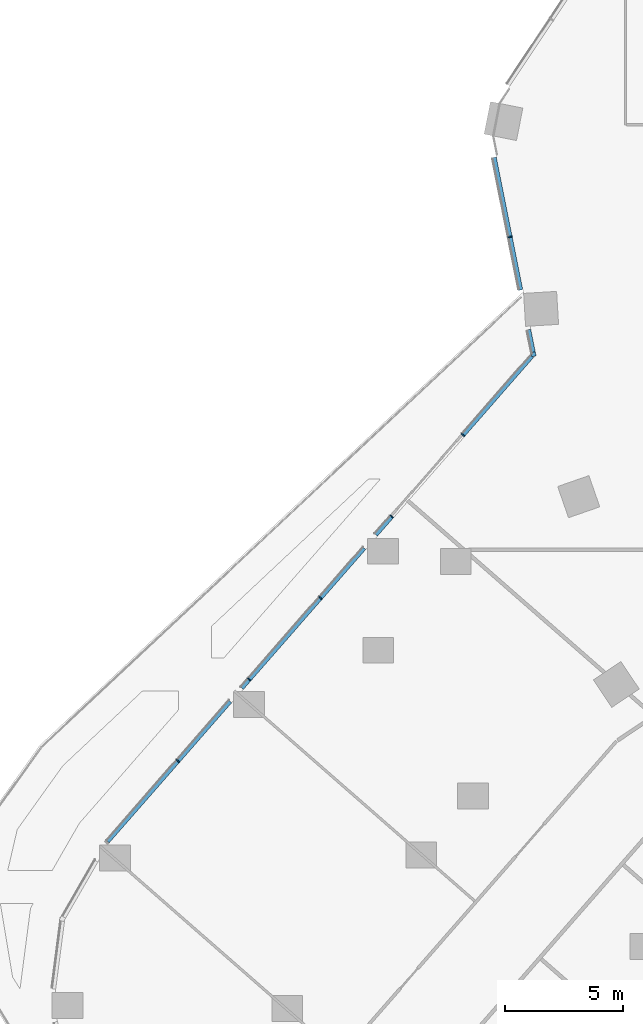
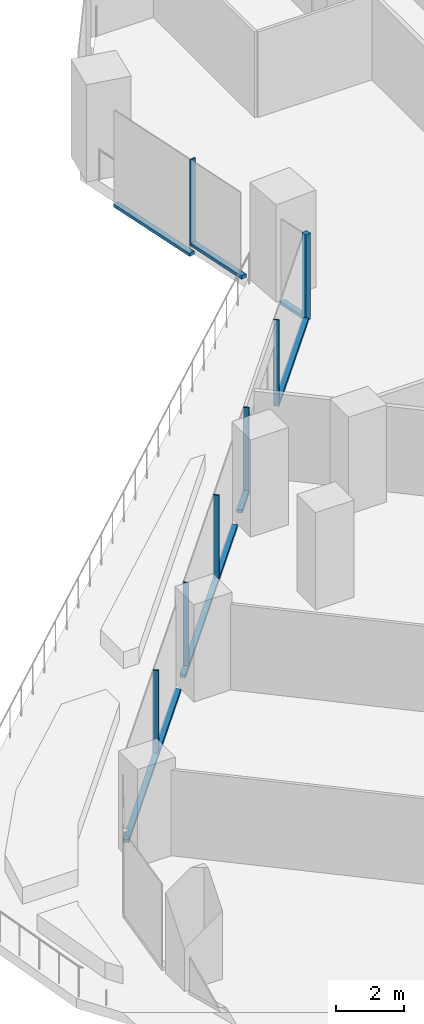
# One storey, part 6 of 32: 14 members, 2 elements without a shape of their own.
"""IFC4 building model written with IfcOpenShell, lengths in metres."""

from ifc_helpers import new_model, si_unit, direction, frame, origin, origin_2d, place, context, subcontext, project, spatial, rectangle, extrude, material, material_profile, profile_set, type_object, element, aggregate, save


model = new_model("IFC4")

# Units and contexts
model_context = context("Model", 3, precision=1e-05, world=origin(), true_north=direction((0.0, 1.0)))
body_context = subcontext(model_context, "Body", "Model", "MODEL_VIEW")
ifc_project = project(units=[si_unit("LENGTHUNIT", "METRE"), si_unit("AREAUNIT", "SQUARE_METRE"), si_unit("VOLUMEUNIT", "CUBIC_METRE"), si_unit("PLANEANGLEUNIT", "RADIAN"), si_unit("MASSUNIT", "GRAM", prefix="KILO")], contexts=[model_context])

# Site, building, storey
site_placement = place(None, origin())
site = spatial("IfcSite", under=ifc_project, at=site_placement, CompositionType="ELEMENT")
building_placement = place(site_placement, origin())
building = spatial("IfcBuilding", under=site, at=building_placement, Name="Orlundy Tower", CompositionType="ELEMENT")
storey_placement = place(building_placement, frame((0.0, 0.0, 58.800048828125)))
storey = spatial("IfcBuildingStorey", under=building, at=storey_placement, Name="L13", CompositionType="ELEMENT", Elevation=58.800048828125)

# Curtain wall, member
ifc_material_1 = material(Name="Aluminium bronze anodised", Category="aluminium")
curtain_wall_type = type_object("IfcCurtainWallType", Name="CW1 wall", PredefinedType="NOTDEFINED", material=ifc_material_1)
curtain_wall_1_placement = place(storey_placement, origin())
curtain_wall_1 = element("IfcCurtainWall", 1, at=curtain_wall_1_placement, inside=storey, type_object=curtain_wall_type, Name="CW1 run 013", PredefinedType="NOTDEFINED")
ifc_material_2 = material(Name="Aluminium bronze anodised", Category="aluminium")
ifc_material_profile_1 = material_profile(ifc_material_2, rectangle(XDim=0.179931640625, YDim=0.179931640625, at=origin_2d()), Name="CW1 corner post 180x180")
ifc_profile_set_1 = profile_set([ifc_material_profile_1], Name="Aluminium bronze anodised")
member_type_1 = type_object("IfcMemberType", Name="CW1 corner post 180x180", PredefinedType="MULLION", material=ifc_profile_set_1)
member_1_placement = place(storey_placement, frame((-29.94189453125, -3.72314453125, 0.0), z_axis=(0.0, 0.0, 1.0), x_axis=(-0.980497937474, -0.196529373401, 0.0)))
member_1 = element("IfcMember", 2, at=member_1_placement, type_object=member_type_1, Name="CW1 mullion 32", PredefinedType="MULLION", context=body_context, shape_type="SweptSolid", body=[
    extrude(rectangle(XDim=0.179931640625, YDim=0.179931640625, at=origin_2d()), origin(), (0.0, 0.0, 1.0), 3.099853515625),
])

# Curtain wall, members
curtain_wall_2_placement = place(storey_placement, origin())
curtain_wall_2 = element("IfcCurtainWall", 3, at=curtain_wall_2_placement, inside=storey, type_object=curtain_wall_type, Name="CW1 run 012", PredefinedType="NOTDEFINED")
ifc_material_3 = material(Name="Aluminium bronze anodised", Category="aluminium")
ifc_material_profile_2 = material_profile(ifc_material_3, rectangle(XDim=0.179931640625, YDim=0.050048828125, at=origin_2d()), Name="CW1 mullion 50x180")
ifc_profile_set_2 = profile_set([ifc_material_profile_2], Name="Aluminium bronze anodised")
member_type_2 = type_object("IfcMemberType", Name="CW1 mullion 50x180", PredefinedType="MULLION", material=ifc_profile_set_2)
member_2_placement = place(storey_placement, frame((-45.01611328125, -20.96142578125, 0.0), z_axis=(0.0, 0.0, 1.0), x_axis=(-0.752779154075, 0.658273153933, 0.0)))
member_2 = element("IfcMember", 4, at=member_2_placement, type_object=member_type_2, Name="CW1 mullion 27", PredefinedType="MULLION", context=body_context, shape_type="SweptSolid", body=[
    extrude(rectangle(XDim=0.179931640625, YDim=0.050048828125, at=origin_2d()), origin(), (0.0, 0.0, 1.0), 3.099853515625),
])
member_3_placement = place(storey_placement, frame((-41.995361328125, -17.507080078125, 0.0), z_axis=(0.0, 0.0, 1.0), x_axis=(-0.752779154075, 0.658273153933, 0.0)))
member_3 = element("IfcMember", 5, at=member_3_placement, type_object=member_type_2, Name="CW1 mullion 28", PredefinedType="MULLION", context=body_context, shape_type="SweptSolid", body=[
    extrude(rectangle(XDim=0.179931640625, YDim=0.050048828125, at=origin_2d()), origin(), (0.0, 0.0, 1.0), 3.099853515625),
])
member_4_placement = place(storey_placement, frame((-38.974853515625, -14.052734375, 0.0), z_axis=(0.0, 0.0, 1.0), x_axis=(-0.752779154075, 0.658273153933, 0.0)))
member_4 = element("IfcMember", 6, at=member_4_placement, type_object=member_type_2, Name="CW1 mullion 29", PredefinedType="MULLION", context=body_context, shape_type="SweptSolid", body=[
    extrude(rectangle(XDim=0.179931640625, YDim=0.050048828125, at=origin_2d()), origin(), (0.0, 0.0, 1.0), 3.099853515625),
])
member_5_placement = place(storey_placement, frame((-35.9541015625, -10.598388671875, 0.0), z_axis=(0.0, 0.0, 1.0), x_axis=(-0.752779154075, 0.658273153933, 0.0)))
member_5 = element("IfcMember", 7, at=member_5_placement, type_object=member_type_2, Name="CW1 mullion 30", PredefinedType="MULLION", context=body_context, shape_type="SweptSolid", body=[
    extrude(rectangle(XDim=0.179931640625, YDim=0.050048828125, at=origin_2d()), origin(), (0.0, 0.0, 1.0), 3.099853515625),
])
member_6_placement = place(storey_placement, frame((-32.933349609375, -7.14404296875, 0.0), z_axis=(0.0, 0.0, 1.0), x_axis=(-0.752779154075, 0.658273153933, 0.0)))
member_6 = element("IfcMember", 8, at=member_6_placement, type_object=member_type_2, Name="CW1 mullion 31", PredefinedType="MULLION", context=body_context, shape_type="SweptSolid", body=[
    extrude(rectangle(XDim=0.179931640625, YDim=0.050048828125, at=origin_2d()), origin(), (0.0, 0.0, 1.0), 3.099853515625),
])

# Member
member_7_placement = place(storey_placement, frame((-30.939208984375, 1.252197265625, 0.0), z_axis=(0.0, 0.0, 1.0), x_axis=(-0.980497937474, -0.196529373401, 0.0)))
member_7 = element("IfcMember", 9, at=member_7_placement, type_object=member_type_2, Name="CW1 mullion 33", PredefinedType="MULLION", context=body_context, shape_type="SweptSolid", body=[
    extrude(rectangle(XDim=0.179931640625, YDim=0.050048828125, at=origin_2d()), origin(), (0.0, 0.0, 1.0), 3.099853515625),
])

ifc_material_4 = material(Name="Aluminium bronze anodised", Category="aluminium")
ifc_material_profile_3 = material_profile(ifc_material_4, rectangle(XDim=0.179931640625, YDim=0.1201171875, at=origin_2d()), Name="CW1 transom 180x120")
ifc_profile_set_3 = profile_set([ifc_material_profile_3], Name="Aluminium bronze anodised")
member_type_3 = type_object("IfcMemberType", Name="CW1 transom 180x120", PredefinedType="USERDEFINED", material=ifc_profile_set_3)
member_8_placement = place(storey_placement, frame((-47.999267578125, -24.373046875, 0.06005859375), z_axis=(0.658259054691, 0.752791483026, 0.0), x_axis=(-0.752791483026, 0.658259054691, 0.0)))
member_8 = element("IfcMember", 10, at=member_8_placement, type_object=member_type_3, Name="CW1 transom", ObjectType="TRANSOM", PredefinedType="USERDEFINED", context=body_context, shape_type="SweptSolid", body=[
    extrude(rectangle(XDim=0.179931640625, YDim=0.1201171875, at=origin_2d()), origin(), (0.0, 0.0, 1.0), 7.884765625),
])

member_9_placement = place(storey_placement, frame((-42.313720703125, -17.87109375, 0.06005859375), z_axis=(0.658274246781, 0.752778198425, 0.0), x_axis=(-0.752778198425, 0.658274246781, 0.0)))
member_9 = element("IfcMember", 11, at=member_9_placement, type_object=member_type_3, Name="CW1 transom", ObjectType="TRANSOM", PredefinedType="USERDEFINED", context=body_context, shape_type="SweptSolid", body=[
    extrude(rectangle(XDim=0.179931640625, YDim=0.1201171875, at=origin_2d()), origin(), (0.0, 0.0, 1.0), 7.87939453125),
])

member_10_placement = place(storey_placement, frame((-36.630615234375, -11.3720703125, 0.06005859375), z_axis=(0.658297755408, 0.752757640429, 0.0), x_axis=(-0.752757640429, 0.658297755408, 0.0)))
member_10 = element("IfcMember", 12, at=member_10_placement, type_object=member_type_3, Name="CW1 transom", ObjectType="TRANSOM", PredefinedType="USERDEFINED", context=body_context, shape_type="SweptSolid", body=[
    extrude(rectangle(XDim=0.179931640625, YDim=0.1201171875, at=origin_2d()), origin(), (0.0, 0.0, 1.0), 1.0029296875),
])

member_11_placement = place(storey_placement, frame((-32.9169921875, -7.125244140625, 0.06005859375), z_axis=(0.658288819147, 0.752765455229, 0.0), x_axis=(-0.752765455229, 0.658288819147, 0.0)))
member_11 = element("IfcMember", 13, at=member_11_placement, type_object=member_type_3, Name="CW1 transom", ObjectType="TRANSOM", PredefinedType="USERDEFINED", context=body_context, shape_type="SweptSolid", body=[
    extrude(rectangle(XDim=0.179931640625, YDim=0.1201171875, at=origin_2d()), origin(), (0.0, 0.0, 1.0), 4.406005859375),
])

aggregate(curtain_wall_2, [member_2, member_3, member_4, member_5, member_6, member_8, member_9, member_10, member_11])

member_12_placement = place(storey_placement, frame((-29.959716796875, -3.635009765625, 0.06005859375), z_axis=(-0.19635725955, 0.980532419975, 0.0), x_axis=(-0.980532419975, -0.19635725955, 0.0)))
member_12 = element("IfcMember", 14, at=member_12_placement, type_object=member_type_3, Name="CW1 transom", ObjectType="TRANSOM", PredefinedType="USERDEFINED", context=body_context, shape_type="SweptSolid", body=[
    extrude(rectangle(XDim=0.179931640625, YDim=0.1201171875, at=origin_2d()), origin(), (0.0, 0.0, 1.0), 0.9736328125),
])

member_13_placement = place(storey_placement, frame((-30.48828125, -0.997802734375, 0.06005859375), z_axis=(-0.196509121082, 0.980501996597, 0.0), x_axis=(-0.980501996597, -0.196509121082, 0.0)))
member_13 = element("IfcMember", 15, at=member_13_placement, type_object=member_type_3, Name="CW1 transom", ObjectType="TRANSOM", PredefinedType="USERDEFINED", context=body_context, shape_type="SweptSolid", body=[
    extrude(rectangle(XDim=0.179931640625, YDim=0.1201171875, at=origin_2d()), origin(), (0.0, 0.0, 1.0), 2.269775390625),
])

member_14_placement = place(storey_placement, frame((-30.944091796875, 1.27685546875, -0.340087890625), z_axis=(-0.196570896821, 0.980489613674, 0.0), x_axis=(-0.980489613674, -0.196570896821, 0.0)))
member_14 = element("IfcMember", 16, at=member_14_placement, type_object=member_type_3, Name="CW1 transom", ObjectType="TRANSOM", PredefinedType="USERDEFINED", context=body_context, shape_type="SweptSolid", body=[
    extrude(rectangle(XDim=0.179931640625, YDim=0.1201171875, at=origin_2d()), origin(), (0.0, 0.0, 1.0), 3.40673828125),
])

aggregate(curtain_wall_1, [member_1, member_7, member_12, member_13, member_14])

save(model, "model.ifc")
